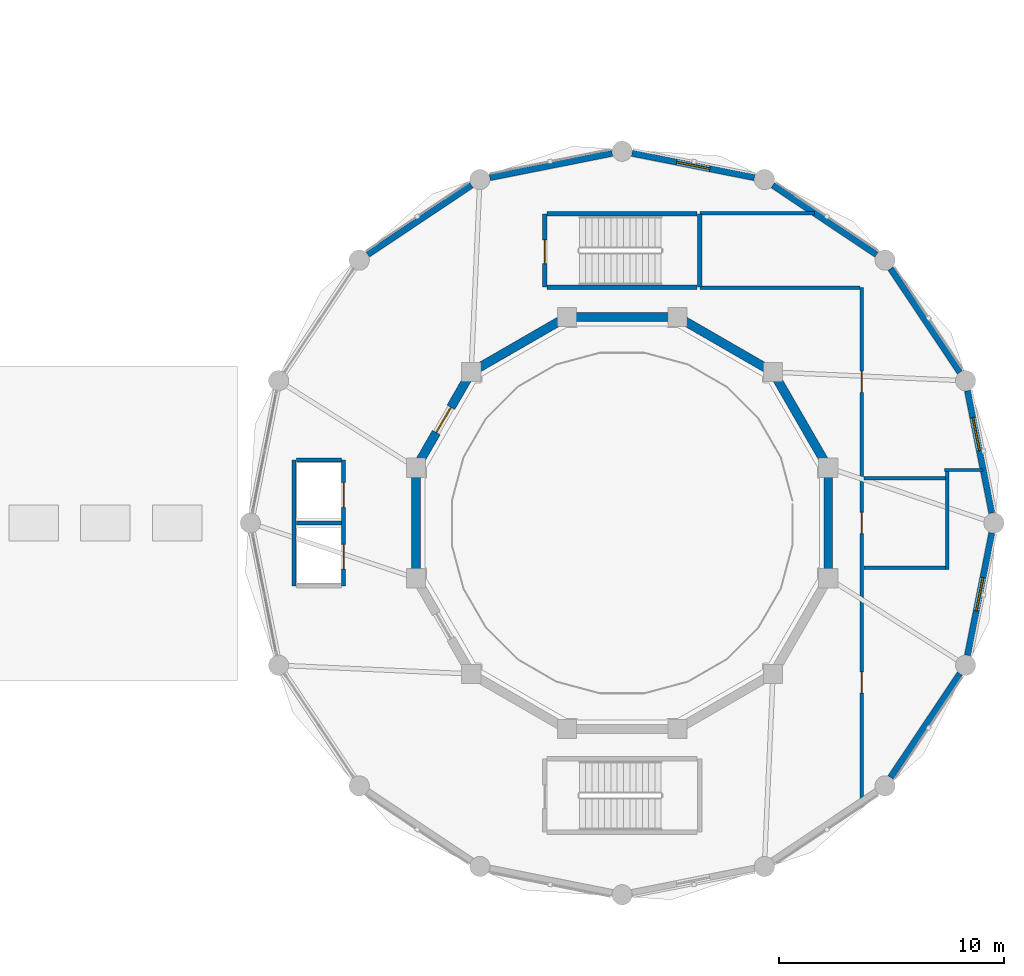
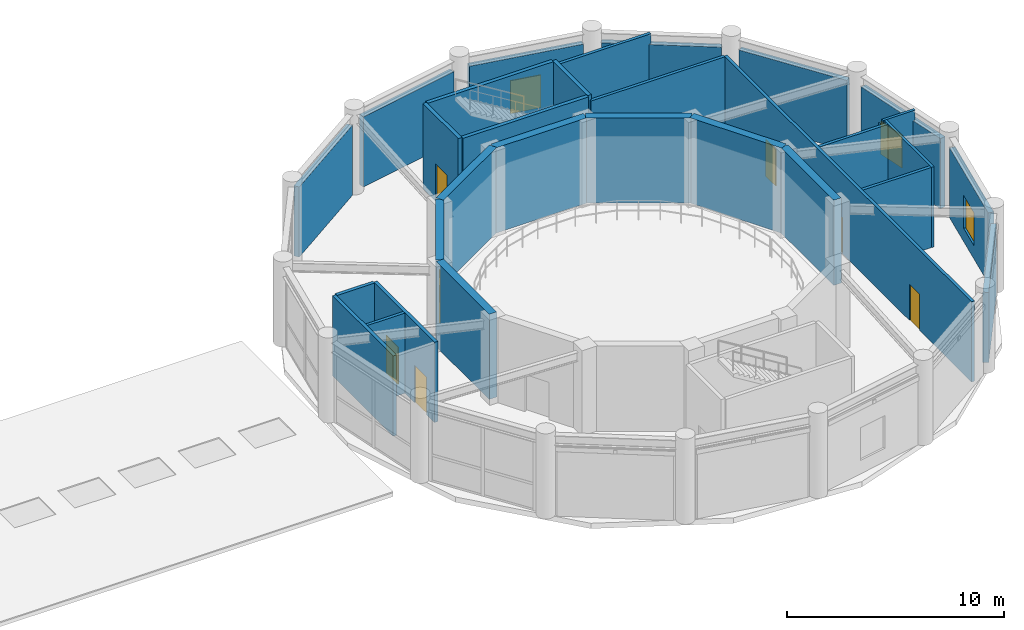
# One storey, part 21 of 34: 30 walls, 7 doors, 3 windows, 10 openings.
"""IFC4 building model written with IfcOpenShell, lengths in metres."""

from ifc_helpers import new_model, si_unit, derived_unit, direction, frame, frame_2d, origin, place, context, subcontext, project, spatial, rectangle, extrude, material, layer, layer_set, type_object, element, fill, save


model = new_model("IFC4")

# Units and contexts
model_context = context("Model", 3, precision=1e-05, world=origin(), true_north=direction((0.0, 1.0)))
body_context = subcontext(model_context, "Body", "Model", "MODEL_VIEW")
ifc_project = project(units=[si_unit("LENGTHUNIT", "METRE"), si_unit("AREAUNIT", "SQUARE_METRE"), si_unit("VOLUMEUNIT", "CUBIC_METRE"), si_unit("PLANEANGLEUNIT", "RADIAN"), si_unit("MASSUNIT", "GRAM", prefix="KILO"), derived_unit("THERMALTRANSMITTANCEUNIT", [(si_unit("POWERUNIT", "WATT"), 1), (si_unit("LENGTHUNIT", "METRE"), -2), (si_unit("THERMODYNAMICTEMPERATUREUNIT", "KELVIN"), -1)])], contexts=[model_context])

# Site, building, storey
site_placement = place(None, origin())
site = spatial("IfcSite", under=ifc_project, at=site_placement, CompositionType="ELEMENT")
building_placement = place(site_placement, origin())
building = spatial("IfcBuilding", under=site, at=building_placement, Name="Korsvarv Bourse and Concert Hall", CompositionType="ELEMENT")
storey_placement = place(building_placement, frame((0.0, 0.0, 14.39990234375)))
storey = spatial("IfcBuildingStorey", under=building, at=storey_placement, Name="L03", CompositionType="ELEMENT", Elevation=14.39990234375)

# Wall, opening, door
ifc_material_1 = material(Name="Concrete C50/60", Category="concrete")
ifc_layer_1 = layer(ifc_material_1, 0.3798828125)
ifc_layer_set_1 = layer_set([ifc_layer_1], Name="Concrete C50/60")
wall_type_1 = type_object("IfcWallType", Name="WL-CORE-380", PredefinedType="SHEAR", material=ifc_layer_set_1)
wall_1_placement = place(storey_placement, frame((103.35009765625, 46.5, 0.0), z_axis=(0.0, 0.0, 1.0), x_axis=(0.0, 1.0, 0.0)))
wall_1 = element("IfcWall", 1, at=wall_1_placement, inside=storey, type_object=wall_type_1, Name="L03 stair shaft structural wall W-L03-STCH1-W", PredefinedType="SHEAR", context=body_context, shape_type="SweptSolid", body=[
    extrude(rectangle(XDim=3.260009765625, YDim=0.199951171875, at=frame_2d((1.6298828125, 0.0))), origin(), (0.0, 0.0, 1.0), 4.800048828125),
])
opening_1_placement = place(wall_1_placement, frame((1.050048828125, 0.0, 0.0)))
opening_1 = element("IfcOpeningElement", 2, at=opening_1_placement, cuts=wall_1, Name="Opening D-01", PredefinedType="OPENING", context=body_context, shape_type="SweptSolid", body=[
    extrude(rectangle(XDim=1.050048828125, YDim=2.10009765625, at=frame_2d((0.52490234375, 1.050048828125))), frame((0.0, 0.10986328125, 0.0), z_axis=(0.0, -1.0, 0.0), x_axis=(1.0, 0.0, 0.0)), (0.0, 0.0, 1.0), 0.219970703125),
])
ifc_material_2 = material(Name="Steel S355 fire door", Category="steel")
door_type_1 = type_object("IfcDoorType", Name="DR-FD60", OperationType="NOTDEFINED", PredefinedType="DOOR", material=ifc_material_2)
door_1_placement = place(opening_1_placement, origin())
door_1 = element("IfcDoor", 3, at=door_1_placement, inside=storey, type_object=door_type_1, Name="L03 interior door DR-L03-STCH1", OperationType="SINGLE_SWING_LEFT", OverallHeight=2.10009765625, OverallWidth=1.050048828125, PredefinedType="DOOR", context=body_context, shape_type="SweptSolid", body=[
    extrude(rectangle(XDim=1.050048828125, YDim=2.10009765625, at=frame_2d((0.52490234375, 1.050048828125))), frame((0.0, 0.02490234375, 0.0), z_axis=(0.0, -1.0, 0.0), x_axis=(1.0, 0.0, 0.0)), (0.0, 0.0, 1.0), 0.050048828125),
])
fill(opening_1, door_1)

# Walls
for number, where, z_axis, x_axis, name in (
    (4, (103.4599609375, 49.760009765625, 0.0), (0.0, 0.0, 1.0), (1.0, 0.0, 0.0), "L03 stair shaft structural wall W-L03-STCH1-N"),
    (5, (103.4599609375, 46.5, 0.0), (0.0, 0.0, 1.0), (1.0, 0.0, 0.0), "L03 stair shaft structural wall W-L03-STCH1-S"),
):
    element("IfcWall", number, at=place(storey_placement, frame(where, z_axis=z_axis, x_axis=x_axis)), inside=storey, type_object=wall_type_1, Name=name, PredefinedType="SHEAR", context=body_context, shape_type="SweptSolid", body=[
        extrude(rectangle(XDim=6.679931640625, YDim=0.199951171875, at=frame_2d((3.33984375, 0.0))), origin(), (0.0, 0.0, 1.0), 4.800048828125),
    ])
wall_2_placement = place(storey_placement, frame((110.25, 46.5, 0.0), z_axis=(0.0, 0.0, 1.0), x_axis=(0.0, 1.0, 0.0)))
element("IfcWall", 6, at=wall_2_placement, inside=storey, type_object=wall_type_1, Name="L03 stair shaft structural wall W-L03-STCH1-E", PredefinedType="SHEAR", context=body_context, shape_type="SweptSolid", body=[
    extrude(rectangle(XDim=3.260009765625, YDim=0.199951171875, at=frame_2d((1.6298828125, 0.0))), origin(), (0.0, 0.0, 1.0), 4.800048828125),
])
ifc_layer_2 = layer(ifc_material_1, 0.39990234375)
ifc_layer_set_2 = layer_set([ifc_layer_2], Name="Concrete C50/60")
wall_type_2 = type_object("IfcWallType", Name="WL-DRM-400", PredefinedType="SOLIDWALL", material=ifc_layer_set_2)
for number, where, z_axis, x_axis, name in (
    (7, (115.976318359375, 38.458740234375, 0.0), (0.0, 0.0, 1.0), (-0.499988900423, 0.866031812033, 0.0), "L03 Concert Hall Acoustic Bowl Wall 1"),
    (8, (113.517578125, 42.717529296875, 0.0), (0.0, 0.0, 1.0), (-0.866031812033, 0.499988900423, 0.0), "L03 Concert Hall Acoustic Bowl Wall 2"),
    (9, (109.2587890625, 45.17626953125, 0.0), (0.0, 0.0, 1.0), (-1.0, 0.0, 0.0), "L03 Concert Hall Acoustic Bowl Wall 3"),
    (10, (104.34130859375, 45.17626953125, 0.0), (0.0, 0.0, 1.0), (-0.866031812033, -0.499988900423, 0.0), "L03 Concert Hall Acoustic Bowl Wall 4"),
):
    element("IfcWall", number, at=place(storey_placement, frame(where, z_axis=z_axis, x_axis=x_axis)), inside=storey, type_object=wall_type_2, Name=name, PredefinedType="SOLIDWALL", context=body_context, shape_type="SweptSolid", body=[
        extrude(rectangle(XDim=4.91748046875, YDim=0.39990234375, at=frame_2d((2.458740234375, 0.0))), origin(), (0.0, 0.0, 1.0), 4.800048828125),
    ])

# Wall, opening, door
wall_3_placement = place(storey_placement, frame((100.08251953125, 42.717529296875, 0.0), z_axis=(0.0, 0.0, 1.0), x_axis=(-0.499988900423, -0.866031812033, 0.0)))
wall_3 = element("IfcWall", 11, at=wall_3_placement, inside=storey, type_object=wall_type_2, Name="L03 Concert Hall Acoustic Bowl Wall 5", PredefinedType="SOLIDWALL", context=body_context, shape_type="SweptSolid", body=[
    extrude(rectangle(XDim=4.91748046875, YDim=0.39990234375, at=frame_2d((2.458740234375, 0.0))), origin(), (0.0, 0.0, 1.0), 4.800048828125),
])
opening_2_placement = place(wall_3_placement, frame((1.808837890625, 0.0, 0.0)))
opening_2 = element("IfcOpeningElement", 12, at=opening_2_placement, cuts=wall_3, Name="Opening D-04", PredefinedType="OPENING", context=body_context, shape_type="SweptSolid", body=[
    extrude(rectangle(XDim=1.300048828125, YDim=2.10009765625, at=frame_2d((0.64990234375, 1.050048828125))), frame((0.0, 0.2099609375, 0.0), z_axis=(0.0, -1.0, 0.0), x_axis=(1.0, 0.0, 0.0)), (0.0, 0.0, 1.0), 0.419921875),
])
ifc_material_3 = material(Name="Glazed aluminium double corridor door", Category="aluminium")
door_type_2 = type_object("IfcDoorType", Name="DR-INT-2", OperationType="DOUBLE_DOOR_SINGLE_SWING", PredefinedType="DOOR", material=ifc_material_3)
door_2_placement = place(opening_2_placement, frame((1.300048828125, 0.0, 0.0), z_axis=(0.0, 0.0, 1.0), x_axis=(-1.0, 0.0, 0.0)))
door_2 = element("IfcDoor", 13, at=door_2_placement, inside=storey, type_object=door_type_2, Name="L03 Symphony Auditorium acoustic door DR-L03-CHB1", OperationType="SINGLE_SWING_RIGHT", OverallHeight=2.10009765625, OverallWidth=1.300048828125, PredefinedType="DOOR", context=body_context, shape_type="SweptSolid", body=[
    extrude(rectangle(XDim=1.300048828125, YDim=2.10009765625, at=frame_2d((0.64990234375, 1.050048828125))), frame((0.0, 0.02490234375, 0.0), z_axis=(0.0, -1.0, 0.0), x_axis=(1.0, 0.0, 0.0)), (0.0, 0.0, 1.0), 0.050048828125),
])
fill(opening_2, door_2)

# Walls
for number, where, z_axis, x_axis, name in (
    (14, (97.623779296875, 38.458740234375, 0.0), (0.0, 0.0, 1.0), (0.0, -1.0, 0.0), "L03 Concert Hall Acoustic Bowl Wall 6"),
    (15, (115.976318359375, 33.541259765625, 0.0), (0.0, 0.0, 1.0), (0.0, 1.0, 0.0), "L03 Concert Hall Acoustic Bowl Wall 12"),
):
    element("IfcWall", number, at=place(storey_placement, frame(where, z_axis=z_axis, x_axis=x_axis)), inside=storey, type_object=wall_type_2, Name=name, PredefinedType="SOLIDWALL", context=body_context, shape_type="SweptSolid", body=[
        extrude(rectangle(XDim=4.91748046875, YDim=0.39990234375, at=frame_2d((2.458740234375, 0.0))), origin(), (0.0, 0.0, 1.0), 4.800048828125),
    ])

# Wall, opening, window
ifc_material_4 = material(Name="Precast concrete C45/55 with fluted terracotta pier", Category="concrete")
ifc_layer_3 = layer(ifc_material_4, 0.280029296875)
ifc_layer_set_3 = layer_set([ifc_layer_3], Name="Precast concrete C45/55 with fluted terracotta pier")
wall_type_3 = type_object("IfcWallType", Name="WL-EXT-TC2", PredefinedType="SOLIDWALL", material=ifc_layer_set_3)
wall_4_placement = place(storey_placement, frame((123.26123046875, 36.4462890625, 0.0), z_axis=(0.0, 0.0, 1.0), x_axis=(-0.195091972221, 0.980784952156, 0.0)))
wall_4 = element("IfcWall", 16, at=wall_4_placement, inside=storey, type_object=wall_type_3, Name="L03 terracotta exterior wall EW-L03-CHD01", PredefinedType="SOLIDWALL", context=body_context, shape_type="SweptSolid", body=[
    extrude(rectangle(XDim=5.547607421875, YDim=0.280029296875, at=frame_2d((2.77392578125, 0.0))), origin(), (0.0, 0.0, 1.0), 3.9501953125),
])
opening_3_placement = place(wall_4_placement, frame((2.83544921875, 0.0, 0.75)))
opening_3 = element("IfcOpeningElement", 17, at=opening_3_placement, cuts=wall_4, Name="Opening W-04", PredefinedType="OPENING", context=body_context, shape_type="SweptSolid", body=[
    extrude(rectangle(XDim=1.5, YDim=1.85009765625, at=frame_2d((0.75, 0.925048828125))), frame((0.0, 0.14990234375, 0.0), z_axis=(0.0, -1.0, 0.0), x_axis=(1.0, 0.0, 0.0)), (0.0, 0.0, 1.0), 0.300048828125),
])
ifc_material_5 = material(Name="Thermally broken aluminium frame with triple low-E glass", Category="glass")
window_type = type_object("IfcWindowType", Name="WIN-POD2", PartitioningType="SINGLE_PANEL", PredefinedType="WINDOW", material=ifc_material_5)
window_1_placement = place(opening_3_placement, origin())
window_1 = element("IfcWindow", 18, at=window_1_placement, inside=storey, type_object=window_type, Name="L03 punched facade window W-04", OverallHeight=1.85009765625, OverallWidth=1.5, PartitioningType="SINGLE_PANEL", PredefinedType="WINDOW", context=body_context, shape_type="SweptSolid", body=[
    extrude(rectangle(XDim=1.5, YDim=1.85009765625, at=frame_2d((0.75, 0.925048828125))), frame((0.0, 0.030029296875, 0.0), z_axis=(0.0, -1.0, 0.0), x_axis=(1.0, 0.0, 0.0)), (0.0, 0.0, 1.0), 0.06005859375),
])
fill(opening_3, window_1)

# Walls
for number, where, z_axis, x_axis, name in (
    (19, (121.83740234375, 42.711669921875, 0.0), (0.0, 0.0, 1.0), (-0.555573305798, 0.831467559129, 0.0), "L03 terracotta exterior wall EW-L03-CHD02"),
    (20, (118.124267578125, 47.955322265625, 0.0), (0.0, 0.0, 1.0), (-0.831467559129, 0.555573305798, 0.0), "L03 terracotta exterior wall EW-L03-CHD03"),
):
    element("IfcWall", number, at=place(storey_placement, frame(where, z_axis=z_axis, x_axis=x_axis)), inside=storey, type_object=wall_type_3, Name=name, PredefinedType="SOLIDWALL", context=body_context, shape_type="SweptSolid", body=[
        extrude(rectangle(XDim=5.54736328125, YDim=0.280029296875, at=frame_2d((2.773681640625, 0.0))), origin(), (0.0, 0.0, 1.0), 3.9501953125),
    ])

# Wall, opening, window
wall_5_placement = place(storey_placement, frame((112.68701171875, 51.37890625, 0.0), z_axis=(0.0, 0.0, 1.0), x_axis=(-0.980783277025, 0.195100393406, 0.0)))
wall_5 = element("IfcWall", 21, at=wall_5_placement, inside=storey, type_object=wall_type_3, Name="L03 terracotta exterior wall EW-L03-CHD04", PredefinedType="SOLIDWALL", context=body_context, shape_type="SweptSolid", body=[
    extrude(rectangle(XDim=5.54736328125, YDim=0.280029296875, at=frame_2d((2.773681640625, 0.0))), origin(), (0.0, 0.0, 1.0), 3.9501953125),
])
opening_4_placement = place(wall_5_placement, frame((2.023681640625, 0.0, 0.75)))
opening_4 = element("IfcOpeningElement", 22, at=opening_4_placement, cuts=wall_5, Name="Opening W-04", PredefinedType="OPENING", context=body_context, shape_type="SweptSolid", body=[
    extrude(rectangle(XDim=1.5, YDim=1.85009765625, at=frame_2d((0.75, 0.925048828125))), frame((0.0, 0.14990234375, 0.0), z_axis=(0.0, -1.0, 0.0), x_axis=(1.0, 0.0, 0.0)), (0.0, 0.0, 1.0), 0.300048828125),
])
window_2_placement = place(opening_4_placement, origin())
window_2 = element("IfcWindow", 23, at=window_2_placement, inside=storey, type_object=window_type, Name="L03 punched facade window W-04", OverallHeight=1.85009765625, OverallWidth=1.5, PartitioningType="SINGLE_PANEL", PredefinedType="WINDOW", context=body_context, shape_type="SweptSolid", body=[
    extrude(rectangle(XDim=1.5, YDim=1.85009765625, at=frame_2d((0.75, 0.925048828125))), frame((0.0, 0.030029296875, 0.0), z_axis=(0.0, -1.0, 0.0), x_axis=(1.0, 0.0, 0.0)), (0.0, 0.0, 1.0), 0.06005859375),
])
fill(opening_4, window_2)

# Walls
for number, where, z_axis, x_axis, name in (
    (24, (106.353759765625, 52.461181640625, 0.0), (0.0, 0.0, 1.0), (-0.980784952156, -0.195091972221, 0.0), "L03 terracotta exterior wall EW-L03-CHD05"),
    (25, (100.08837890625, 51.037353515625, 0.0), (0.0, 0.0, 1.0), (-0.831481142367, -0.555552976672, 0.0), "L03 terracotta exterior wall EW-L03-CHD06"),
):
    element("IfcWall", number, at=place(storey_placement, frame(where, z_axis=z_axis, x_axis=x_axis)), inside=storey, type_object=wall_type_3, Name=name, PredefinedType="SOLIDWALL", context=body_context, shape_type="SweptSolid", body=[
        extrude(rectangle(XDim=5.547607421875, YDim=0.280029296875, at=frame_2d((2.77392578125, 0.0))), origin(), (0.0, 0.0, 1.0), 3.9501953125),
    ])
wall_6_placement = place(storey_placement, frame((118.75537109375, 24.67578125, 0.0), z_axis=(0.0, 0.0, 1.0), x_axis=(0.555573305798, 0.831467559129, 0.0)))
element("IfcWall", 26, at=wall_6_placement, inside=storey, type_object=wall_type_3, Name="L03 terracotta exterior wall EW-L03-CHD15", PredefinedType="SOLIDWALL", context=body_context, shape_type="SweptSolid", body=[
    extrude(rectangle(XDim=5.54736328125, YDim=0.280029296875, at=frame_2d((2.773681640625, 0.0))), origin(), (0.0, 0.0, 1.0), 3.9501953125),
])

# Wall, opening, window
wall_7_placement = place(storey_placement, frame((122.178955078125, 30.11279296875, 0.0), z_axis=(0.0, 0.0, 1.0), x_axis=(0.195091972221, 0.980784952156, 0.0)))
wall_7 = element("IfcWall", 27, at=wall_7_placement, inside=storey, type_object=wall_type_3, Name="L03 terracotta exterior wall EW-L03-CHD16", PredefinedType="SOLIDWALL", context=body_context, shape_type="SweptSolid", body=[
    extrude(rectangle(XDim=5.547607421875, YDim=0.280029296875, at=frame_2d((2.77392578125, 0.0))), origin(), (0.0, 0.0, 1.0), 3.9501953125),
])
opening_5_placement = place(wall_7_placement, frame((2.023681640625, 0.0, 0.75)))
opening_5 = element("IfcOpeningElement", 28, at=opening_5_placement, cuts=wall_7, Name="Opening W-04", PredefinedType="OPENING", context=body_context, shape_type="SweptSolid", body=[
    extrude(rectangle(XDim=1.5, YDim=1.85009765625, at=frame_2d((0.75, 0.925048828125))), frame((0.0, 0.14990234375, 0.0), z_axis=(0.0, -1.0, 0.0), x_axis=(1.0, 0.0, 0.0)), (0.0, 0.0, 1.0), 0.300048828125),
])
window_3_placement = place(opening_5_placement, origin())
window_3 = element("IfcWindow", 29, at=window_3_placement, inside=storey, type_object=window_type, Name="L03 punched facade window W-04", OverallHeight=1.85009765625, OverallWidth=1.5, PartitioningType="SINGLE_PANEL", PredefinedType="WINDOW", context=body_context, shape_type="SweptSolid", body=[
    extrude(rectangle(XDim=1.5, YDim=1.85009765625, at=frame_2d((0.75, 0.925048828125))), frame((0.0, 0.030029296875, 0.0), z_axis=(0.0, -1.0, 0.0), x_axis=(1.0, 0.0, 0.0)), (0.0, 0.0, 1.0), 0.06005859375),
])
fill(opening_5, window_3)

# Wall, openings, doors
ifc_material_6 = material(Name="Double-stud fire-rated acoustic partition", Category="gypsum")
ifc_layer_4 = layer(ifc_material_6, 0.159912109375)
ifc_layer_set_4 = layer_set([ifc_layer_4], Name="Double-stud fire-rated acoustic partition")
wall_type_4 = type_object("IfcWallType", Name="WL-INT-EI60", PredefinedType="PARTITIONING", material=ifc_layer_set_4)
wall_8_placement = place(storey_placement, frame((117.47509765625, 23.630859375, 0.0), z_axis=(0.0, 0.0, 1.0), x_axis=(0.0, 1.0, 0.0)))
wall_8 = element("IfcWall", 30, at=wall_8_placement, inside=storey, type_object=wall_type_4, Name="L03 interior partition wall W-L03-CHFOY-01", PredefinedType="PARTITIONING", context=body_context, shape_type="SweptSolid", body=[
    extrude(rectangle(XDim=22.84912109375, YDim=0.159912109375, at=frame_2d((11.424560546875, 0.0))), origin(), (0.0, 0.0, 1.0), 4.52001953125),
])
opening_6_placement = place(wall_8_placement, frame((11.894287109375, 0.0, 0.0)))
opening_6 = element("IfcOpeningElement", 31, at=opening_6_placement, cuts=wall_8, Name="Opening D-02", PredefinedType="OPENING", context=body_context, shape_type="SweptSolid", body=[
    extrude(rectangle(XDim=0.949951171875, YDim=2.050048828125, at=frame_2d((0.47509765625, 1.02490234375))), frame((0.0, 0.08984375, 0.0), z_axis=(0.0, -1.0, 0.0), x_axis=(1.0, 0.0, 0.0)), (0.0, 0.0, 1.0), 0.179931640625),
])
opening_7_placement = place(wall_8_placement, frame((4.791259765625, 0.0, 0.0)))
opening_7 = element("IfcOpeningElement", 32, at=opening_7_placement, cuts=wall_8, Name="Opening D-02", PredefinedType="OPENING", context=body_context, shape_type="SweptSolid", body=[
    extrude(rectangle(XDim=0.949951171875, YDim=2.050048828125, at=frame_2d((0.47509765625, 1.02490234375))), frame((0.0, 0.08984375, 0.0), z_axis=(0.0, -1.0, 0.0), x_axis=(1.0, 0.0, 0.0)), (0.0, 0.0, 1.0), 0.179931640625),
])
opening_8_placement = place(wall_8_placement, frame((18.17919921875, 0.0, 0.0)))
opening_8 = element("IfcOpeningElement", 33, at=opening_8_placement, cuts=wall_8, Name="Opening D-02", PredefinedType="OPENING", context=body_context, shape_type="SweptSolid", body=[
    extrude(rectangle(XDim=0.949951171875, YDim=2.050048828125, at=frame_2d((0.47509765625, 1.02490234375))), frame((0.0, 0.08984375, 0.0), z_axis=(0.0, -1.0, 0.0), x_axis=(1.0, 0.0, 0.0)), (0.0, 0.0, 1.0), 0.179931640625),
])
ifc_material_7 = material(Name="Timber and steel acoustic fire door", Category="wood")
door_type_3 = type_object("IfcDoorType", Name="DR-FD30", OperationType="NOTDEFINED", PredefinedType="DOOR", material=ifc_material_7)
door_3_placement = place(opening_6_placement, origin())
door_3 = element("IfcDoor", 34, at=door_3_placement, inside=storey, type_object=door_type_3, Name="L03 interior door DR-L03-CHFOY-RWC", OperationType="SINGLE_SWING_LEFT", OverallHeight=2.050048828125, OverallWidth=0.949951171875, PredefinedType="DOOR", context=body_context, shape_type="SweptSolid", body=[
    extrude(rectangle(XDim=0.949951171875, YDim=2.050048828125, at=frame_2d((0.47509765625, 1.02490234375))), frame((0.0, 0.02490234375, 0.0), z_axis=(0.0, -1.0, 0.0), x_axis=(1.0, 0.0, 0.0)), (0.0, 0.0, 1.0), 0.050048828125),
])
fill(opening_6, door_3)
door_4_placement = place(opening_7_placement, origin())
door_4 = element("IfcDoor", 35, at=door_4_placement, inside=storey, type_object=door_type_3, Name="L03 interior door DR-L03-CHFOY-CHWC1", OperationType="SINGLE_SWING_RIGHT", OverallHeight=2.050048828125, OverallWidth=0.949951171875, PredefinedType="DOOR", context=body_context, shape_type="SweptSolid", body=[
    extrude(rectangle(XDim=0.949951171875, YDim=2.050048828125, at=frame_2d((0.47509765625, 1.02490234375))), frame((0.0, 0.02490234375, 0.0), z_axis=(0.0, -1.0, 0.0), x_axis=(1.0, 0.0, 0.0)), (0.0, 0.0, 1.0), 0.050048828125),
])
fill(opening_7, door_4)
door_5_placement = place(opening_8_placement, origin())
door_5 = element("IfcDoor", 36, at=door_5_placement, inside=storey, type_object=door_type_3, Name="L03 interior door DR-L03-CHFOY-CHSUP2", OperationType="SINGLE_SWING_LEFT", OverallHeight=2.050048828125, OverallWidth=0.949951171875, PredefinedType="DOOR", context=body_context, shape_type="SweptSolid", body=[
    extrude(rectangle(XDim=0.949951171875, YDim=2.050048828125, at=frame_2d((0.47509765625, 1.02490234375))), frame((0.0, 0.02490234375, 0.0), z_axis=(0.0, -1.0, 0.0), x_axis=(1.0, 0.0, 0.0)), (0.0, 0.0, 1.0), 0.050048828125),
])
fill(opening_8, door_5)

# Walls
wall_9_placement = place(storey_placement, frame((110.27001953125, 46.47509765625, 0.0), z_axis=(0.0, 0.0, 1.0), x_axis=(1.0, 0.0, 0.0)))
element("IfcWall", 37, at=wall_9_placement, inside=storey, type_object=wall_type_4, Name="L03 interior partition wall W-L03-CHFOY-02", PredefinedType="PARTITIONING", context=body_context, shape_type="SweptSolid", body=[
    extrude(rectangle(XDim=7.123046875, YDim=0.159912109375, at=frame_2d((3.5615234375, 0.0))), origin(), (0.0, 0.0, 1.0), 4.52001953125),
])
wall_10_placement = place(storey_placement, frame((110.27001953125, 49.784912109375, 0.0), z_axis=(0.0, 0.0, 1.0), x_axis=(1.0, 0.0, 0.0)))
element("IfcWall", 38, at=wall_10_placement, inside=storey, type_object=wall_type_4, Name="L03 interior partition wall W-L03-CHFOY-03", PredefinedType="PARTITIONING", context=body_context, shape_type="SweptSolid", body=[
    extrude(rectangle(XDim=5.09619140625, YDim=0.159912109375, at=frame_2d((2.548095703125, 0.0))), origin(), (0.0, 0.0, 1.0), 4.52001953125),
])
for number, where, z_axis, x_axis, name in (
    (39, (117.556884765625, 38.0, 0.0), (0.0, 0.0, 1.0), (1.0, 0.0, 0.0), "L03 interior partition wall W-L03-CHFOY-04"),
    (40, (117.556884765625, 34.0, 0.0), (0.0, 0.0, 1.0), (1.0, 0.0, 0.0), "L03 interior partition wall W-L03-CHFOY-05"),
):
    element("IfcWall", number, at=place(storey_placement, frame(where, z_axis=z_axis, x_axis=x_axis)), inside=storey, type_object=wall_type_4, Name=name, PredefinedType="PARTITIONING", context=body_context, shape_type="SweptSolid", body=[
        extrude(rectangle(XDim=3.64599609375, YDim=0.159912109375, at=frame_2d((1.822998046875, 0.0))), origin(), (0.0, 0.0, 1.0), 4.52001953125),
    ])

# Wall, openings, doors
ifc_material_8 = material(Name="Gypsum-clad autoclaved concrete shaft wall C30/37", Category="concrete")
ifc_layer_5 = layer(ifc_material_8, 0.179931640625)
ifc_layer_set_5 = layer_set([ifc_layer_5], Name="Gypsum-clad autoclaved concrete shaft wall C30/37")
wall_type_5 = type_object("IfcWallType", Name="WL-INT-EI90", PredefinedType="PARTITIONING", material=ifc_layer_set_5)
wall_11_placement = place(storey_placement, frame((94.39990234375, 33.199951171875, 0.0), z_axis=(0.0, 0.0, 1.0), x_axis=(0.0, 1.0, 0.0)))
wall_11 = element("IfcWall", 41, at=wall_11_placement, inside=storey, type_object=wall_type_5, Name="L03 interior partition wall W-L03-CHLF-E", PredefinedType="PARTITIONING", context=body_context, shape_type="SweptSolid", body=[
    extrude(rectangle(XDim=5.60009765625, YDim=0.179931640625, at=frame_2d((2.800048828125, 0.0))), origin(), (0.0, 0.0, 1.0), 4.52001953125),
])
opening_9_placement = place(wall_11_placement, frame((3.5, 0.0, 0.0)))
opening_9 = element("IfcOpeningElement", 42, at=opening_9_placement, cuts=wall_11, Name="Opening LD-2", PredefinedType="OPENING", context=body_context, shape_type="SweptSolid", body=[
    extrude(rectangle(XDim=1.10009765625, YDim=2.10009765625, at=frame_2d((0.550048828125, 1.050048828125))), frame((0.0, 0.10009765625, 0.0), z_axis=(0.0, -1.0, 0.0), x_axis=(1.0, 0.0, 0.0)), (0.0, 0.0, 1.0), 0.199951171875),
])
opening_10_placement = place(wall_11_placement, frame((0.75, 0.0, 0.0)))
opening_10 = element("IfcOpeningElement", 43, at=opening_10_placement, cuts=wall_11, Name="Opening LD-2", PredefinedType="OPENING", context=body_context, shape_type="SweptSolid", body=[
    extrude(rectangle(XDim=1.10009765625, YDim=2.10009765625, at=frame_2d((0.550048828125, 1.050048828125))), frame((0.0, 0.10009765625, 0.0), z_axis=(0.0, -1.0, 0.0), x_axis=(1.0, 0.0, 0.0)), (0.0, 0.0, 1.0), 0.199951171875),
])
ifc_material_9 = material(Name="Brushed stainless Steel S355 lift landing door", Category="steel")
door_type_4 = type_object("IfcDoorType", Name="DR-LIFT-P", OperationType="DOUBLE_DOOR_SLIDING", PredefinedType="DOOR", material=ifc_material_9)
door_6_placement = place(opening_9_placement, origin())
door_6 = element("IfcDoor", 44, at=door_6_placement, inside=storey, type_object=door_type_4, Name="L03 lift sliding landing door LD-L03-CHL1", OperationType="DOUBLE_DOOR_SLIDING", OverallHeight=2.10009765625, OverallWidth=1.10009765625, PredefinedType="DOOR", context=body_context, shape_type="SweptSolid", body=[
    extrude(rectangle(XDim=1.10009765625, YDim=2.10009765625, at=frame_2d((0.550048828125, 1.050048828125))), frame((0.0, 0.02490234375, 0.0), z_axis=(0.0, -1.0, 0.0), x_axis=(1.0, 0.0, 0.0)), (0.0, 0.0, 1.0), 0.050048828125),
])
fill(opening_9, door_6)
door_7_placement = place(opening_10_placement, origin())
door_7 = element("IfcDoor", 45, at=door_7_placement, inside=storey, type_object=door_type_4, Name="L03 lift sliding landing door LD-L03-CHL2", OperationType="DOUBLE_DOOR_SLIDING", OverallHeight=2.10009765625, OverallWidth=1.10009765625, PredefinedType="DOOR", context=body_context, shape_type="SweptSolid", body=[
    extrude(rectangle(XDim=1.10009765625, YDim=2.10009765625, at=frame_2d((0.550048828125, 1.050048828125))), frame((0.0, 0.02490234375, 0.0), z_axis=(0.0, -1.0, 0.0), x_axis=(1.0, 0.0, 0.0)), (0.0, 0.0, 1.0), 0.050048828125),
])
fill(opening_10, door_7)

# Walls
wall_12_placement = place(storey_placement, frame((92.199951171875, 33.199951171875, 0.0), z_axis=(0.0, 0.0, 1.0), x_axis=(0.0, 1.0, 0.0)))
element("IfcWall", 46, at=wall_12_placement, inside=storey, type_object=wall_type_5, Name="L03 interior partition wall W-L03-CHLF-W", PredefinedType="PARTITIONING", context=body_context, shape_type="SweptSolid", body=[
    extrude(rectangle(XDim=5.60009765625, YDim=0.179931640625, at=frame_2d((2.800048828125, 0.0))), origin(), (0.0, 0.0, 1.0), 4.52001953125),
])
wall_13_placement = place(storey_placement, frame((92.300048828125, 38.800048828125, 0.0), z_axis=(0.0, 0.0, 1.0), x_axis=(1.0, 0.0, 0.0)))
element("IfcWall", 47, at=wall_13_placement, inside=storey, type_object=wall_type_5, Name="L03 interior partition wall W-L03-CHLF-N", PredefinedType="PARTITIONING", context=body_context, shape_type="SweptSolid", body=[
    extrude(rectangle(XDim=2.0, YDim=0.179931640625, at=frame_2d((1.0, 0.0))), origin(), (0.0, 0.0, 1.0), 4.52001953125),
])
wall_14_placement = place(storey_placement, frame((92.300048828125, 36.0, 0.0), z_axis=(0.0, 0.0, 1.0), x_axis=(1.0, 0.0, 0.0)))
element("IfcWall", 48, at=wall_14_placement, inside=storey, type_object=wall_type_5, Name="L03 interior partition wall W-L03-CHLF-M", PredefinedType="PARTITIONING", context=body_context, shape_type="SweptSolid", body=[
    extrude(rectangle(XDim=2.0, YDim=0.159912109375, at=frame_2d((1.0, 0.0))), origin(), (0.0, 0.0, 1.0), 4.52001953125),
])
ifc_material_10 = material(Name="Insulated steel-stud office acoustic partition", Category="gypsum")
ifc_layer_6 = layer(ifc_material_10, 0.139892578125)
ifc_layer_set_6 = layer_set([ifc_layer_6], Name="Insulated steel-stud office acoustic partition")
wall_type_6 = type_object("IfcWallType", Name="WL-INT-P1", PredefinedType="PARTITIONING", material=ifc_layer_set_6)
wall_15_placement = place(storey_placement, frame((121.27490234375, 33.919921875, 0.0), z_axis=(0.0, 0.0, 1.0), x_axis=(0.0, 1.0, 0.0)))
element("IfcWall", 49, at=wall_15_placement, inside=storey, type_object=wall_type_6, Name="L03 interior partition wall W-L03-CHFOY-06", PredefinedType="PARTITIONING", context=body_context, shape_type="SweptSolid", body=[
    extrude(rectangle(XDim=4.372314453125, YDim=0.139892578125, at=frame_2d((2.18603515625, 0.0))), origin(), (0.0, 0.0, 1.0), 4.52001953125),
])
wall_16_placement = place(storey_placement, frame((121.15625, 38.3642578125, 0.0), z_axis=(0.0, 0.0, 1.0), x_axis=(0.999999907557, 0.000429984194, 0.0)))
element("IfcWall", 50, at=wall_16_placement, inside=storey, type_object=wall_type_6, Name="L03 interior partition wall W-L03-CHFOY-07", PredefinedType="PARTITIONING", context=body_context, shape_type="SweptSolid", body=[
    extrude(rectangle(XDim=1.703369140625, YDim=0.139892578125, at=frame_2d((0.8515625, 0.0))), origin(), (0.0, 0.0, 1.0), 4.52001953125),
])

save(model, "model.ifc")
